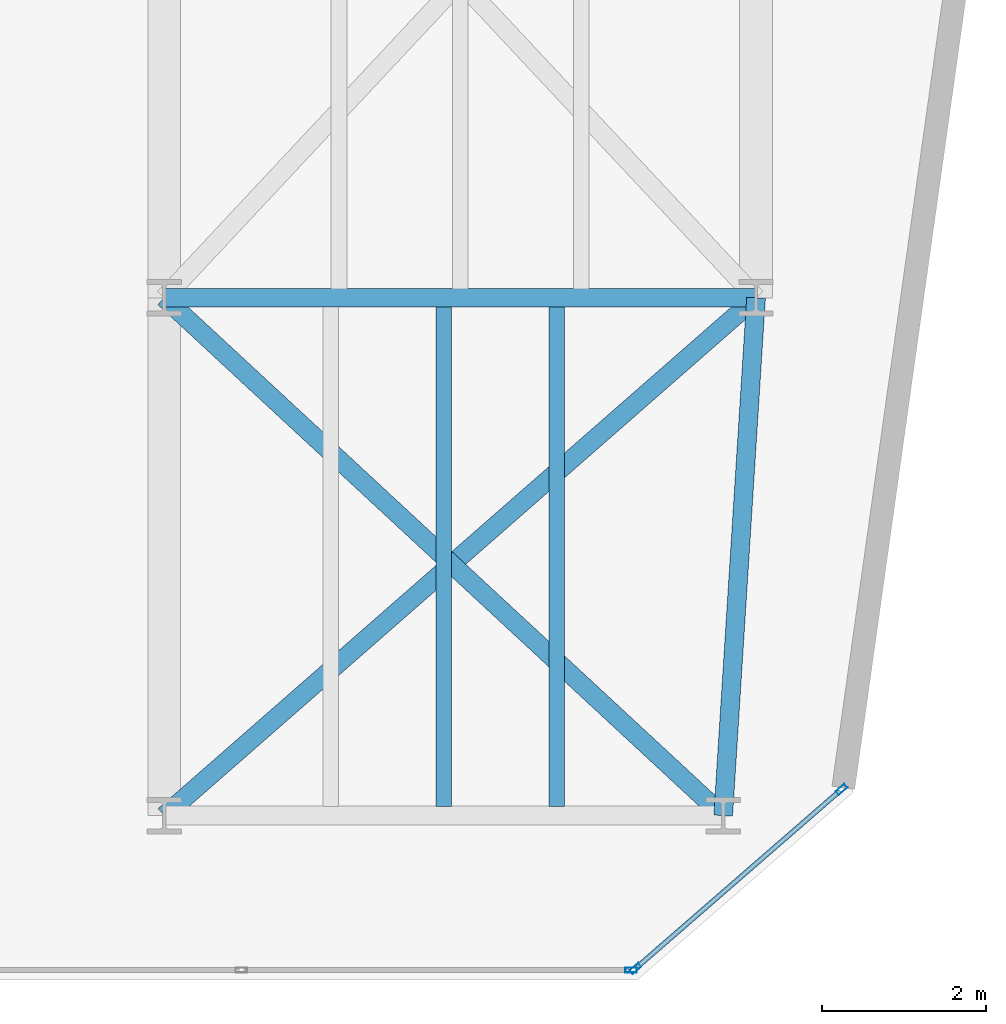
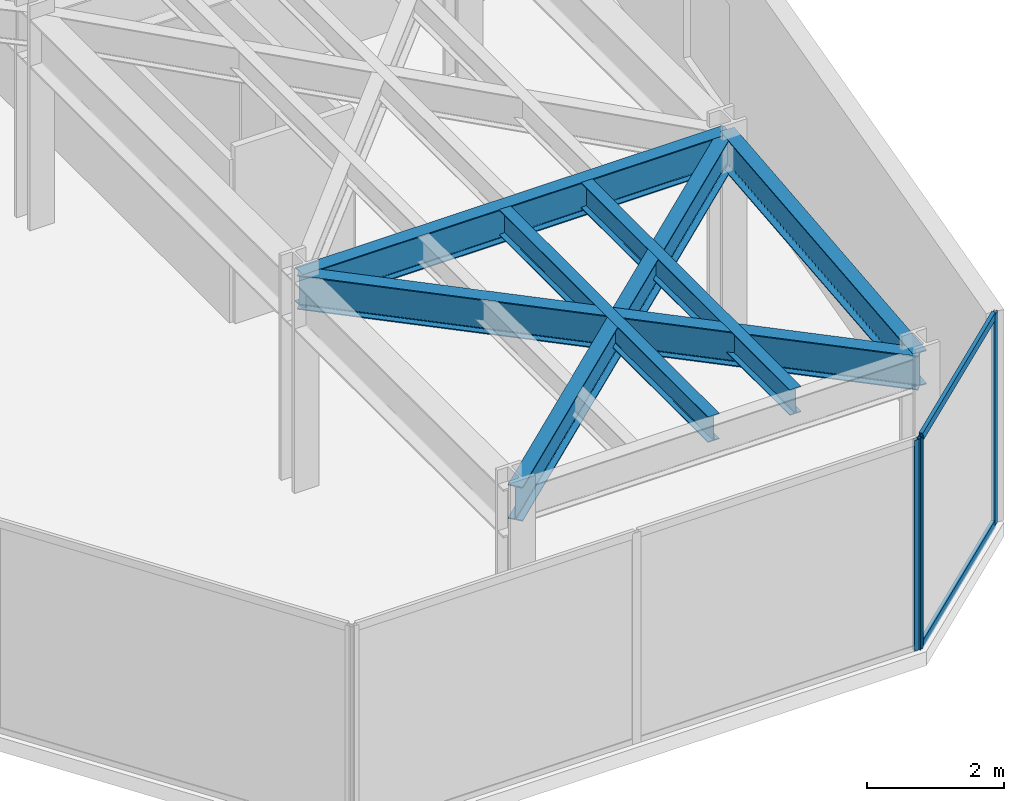
# One storey, part 19 of 26: 6 beams, 5 members, 2 elements without a shape of their own.
"""IFC4 building model written with IfcOpenShell, lengths in metres."""

import ifcopenshell
import ifcopenshell.guid

model = None  # the IFC model being written
_history = None  # IfcOwnerHistory: only IFC2X3 demands one
_inside = {}  # id of a spatial element -> (the spatial element, [elements in it])
_under = {}  # id of a project, library or spatial element -> (it, [spatial elements below it])
_declared = {}  # id of a project -> (the project, [libraries it declares])
_typed = {}  # id of a type object -> (the type object, [elements of that type])
_made_of = {}  # id of a material, layer set ... -> (it, [elements and type objects made of it])


def new_model(schema):
    """Start an empty IFC model of exactly this schema.

    Asked for "IFC4X3", IfcOpenShell would pick the latest addendum, in which some entities
    have other attributes; the version numbers below select the first issue.
    IFC2X3 requires an IfcOwnerHistory on every rooted entity: one is made here for all.
    """
    global model, _history
    if schema == "IFC4X3":
        model = ifcopenshell.file(schema_version=(4, 3, 0, 0))
    else:
        model = ifcopenshell.file(schema=schema)
    _inside.clear()
    _under.clear()
    _declared.clear()
    _typed.clear()
    _made_of.clear()
    _history = None
    if model.schema == "IFC2X3":
        org = make("IfcOrganization", Name="unknown")
        user = make(
            "IfcPersonAndOrganization",
            ThePerson=make("IfcPerson", FamilyName="unknown"),
            TheOrganization=org,
        )
        app = make(
            "IfcApplication",
            ApplicationDeveloper=org,
            Version="unknown",
            ApplicationFullName="unknown",
            ApplicationIdentifier="unknown",
        )
        _history = make(
            "IfcOwnerHistory",
            OwningUser=user,
            OwningApplication=app,
            ChangeAction="ADDED",
            CreationDate=0,
        )
    return model


def make(cls, **values):
    """One entity of the class cls with the attributes given. An attribute that is None is left unset."""
    return model.create_entity(
        cls, **{name: value for name, value in values.items() if value is not None}
    )


def rooted(cls, **values):
    """An entity with a GlobalId (a new one), such as an element, a storey or a relation."""
    return make(cls, GlobalId=ifcopenshell.guid.new(), OwnerHistory=_history, **values)


def si_unit(unit_type, name, prefix=None):
    """IfcSIUnit, for example si_unit("LENGTHUNIT", "METRE", prefix="MILLI")."""
    return make("IfcSIUnit", UnitType=unit_type, Prefix=prefix, Name=name)


def assignment(units):
    """IfcUnitAssignment: the units of a project."""
    return None if units is None else make("IfcUnitAssignment", Units=units)


def point(xyz):
    """IfcCartesianPoint."""
    return None if xyz is None else make("IfcCartesianPoint", Coordinates=xyz)


def direction(xyz):
    """IfcDirection."""
    return None if xyz is None else make("IfcDirection", DirectionRatios=xyz)


def frame(location, z_axis=None, x_axis=None):
    """IfcAxis2Placement3D, a coordinate frame: its origin and axes. An axis left out is left unset."""
    return make(
        "IfcAxis2Placement3D",
        Location=point(location),
        Axis=direction(z_axis),
        RefDirection=direction(x_axis),
    )


def frame_2d(location, x_axis=None):
    """IfcAxis2Placement2D, a coordinate frame in the plane: its origin and x axis."""
    return make(
        "IfcAxis2Placement2D", Location=point(location), RefDirection=direction(x_axis)
    )


def origin():
    """The frame at (0, 0, 0) with its axes left unset."""
    return frame((0.0, 0.0, 0.0))


def origin_2d():
    """The frame at (0, 0) in the plane with its x axis left unset."""
    return frame_2d((0.0, 0.0))


def place(relative_to, where):
    """IfcLocalPlacement: puts the frame where relative to a parent placement (None: the world)."""
    return make(
        "IfcLocalPlacement", PlacementRelTo=relative_to, RelativePlacement=where
    )


def context(
    kind, dimensions, precision=None, world=None, true_north=None, identifier=None
):
    """IfcGeometricRepresentationContext, for example the 3D "Model" context."""
    return make(
        "IfcGeometricRepresentationContext",
        ContextIdentifier=identifier,
        ContextType=kind,
        CoordinateSpaceDimension=dimensions,
        Precision=precision,
        WorldCoordinateSystem=world,
        TrueNorth=true_north,
    )


def subcontext(parent, identifier, kind, view, scale=None):
    """IfcGeometricRepresentationSubContext, for example "Body" below "Model"."""
    return make(
        "IfcGeometricRepresentationSubContext",
        ContextIdentifier=identifier,
        ContextType=kind,
        ParentContext=parent,
        TargetScale=scale,
        TargetView=view,
    )


def project(units=None, contexts=None):
    """IfcProject with its units and contexts."""
    return rooted(
        "IfcProject",
        Name="project",
        RepresentationContexts=contexts,
        UnitsInContext=assignment(units),
    )


def spatial(cls, under=None, at=None, **own):
    """A site, building, storey or space (cls), placed at a placement, below another one or the project."""
    s = rooted(cls, ObjectPlacement=at, **own)
    if under is not None:
        _under.setdefault(under.id(), (under, []))[1].append(s)
    return s


def profile(cls, at=None, kind="AREA", **sizes):
    """A parametric profile (cls). Its sizes go by their IFC names, for example OverallWidth=200.0."""
    return make(cls, ProfileType=kind, Position=at, **sizes)


def hollow_rectangle(**sizes):
    """IfcRectangleHollowProfileDef."""
    return profile("IfcRectangleHollowProfileDef", **sizes)


def i_section(**sizes):
    """IfcIShapeProfileDef."""
    return profile("IfcIShapeProfileDef", **sizes)


def extrude(swept, where, along, depth):
    """IfcExtrudedAreaSolid: the profile swept, set in the frame where, extruded along a direction by depth."""
    return make(
        "IfcExtrudedAreaSolid",
        SweptArea=swept,
        Position=where,
        ExtrudedDirection=direction(along),
        Depth=depth,
    )


def shape(context_of_items, identifier, shape_type, items):
    """IfcShapeRepresentation: the items that make up one representation, for example the "Body"."""
    return make(
        "IfcShapeRepresentation",
        ContextOfItems=context_of_items,
        RepresentationIdentifier=identifier,
        RepresentationType=shape_type,
        Items=items,
    )


def material(Name=None, Category=None):
    """IfcMaterial."""
    return make("IfcMaterial", Name=Name, Category=Category)


def layer(
    of_material, thickness, ventilated=None, Name=None, Category=None, Priority=None
):
    """IfcMaterialLayer: one layer of a wall or slab, of a material (None: an air gap)."""
    return make(
        "IfcMaterialLayer",
        Material=of_material,
        LayerThickness=thickness,
        IsVentilated=ventilated,
        Name=Name,
        Category=Category,
        Priority=Priority,
    )


def layer_set(layers, Name=None):
    """IfcMaterialLayerSet."""
    return make("IfcMaterialLayerSet", MaterialLayers=layers, LayerSetName=Name)


def material_profile(
    of_material, cross_section, Name=None, Category=None, Priority=None
):
    """IfcMaterialProfile: a cross section and its material."""
    return make(
        "IfcMaterialProfile",
        Name=Name,
        Material=of_material,
        Profile=cross_section,
        Priority=Priority,
        Category=Category,
    )


def profile_set(profiles, Name=None, composite=None):
    """IfcMaterialProfileSet."""
    return make(
        "IfcMaterialProfileSet",
        Name=Name,
        MaterialProfiles=profiles,
        CompositeProfile=composite,
    )


def made_of(thing, what):
    """Note that an element or type object is made of a material, layer set ...; save() writes the relation."""
    if what is not None:
        _made_of.setdefault(what.id(), (what, []))[1].append(thing)
    return thing


def type_object(cls, material=None, **own):
    """A type object (cls), such as IfcWallType, which elements share."""
    return made_of(rooted(cls, **own), material)


def element(
    cls,
    number,
    at=None,
    inside=None,
    cuts=None,
    type_object=None,
    material=None,
    context=None,
    identifier="Body",
    shape_type=None,
    held_by="IfcProductDefinitionShape",
    body=None,
    shapes=None,
    **own,
):
    """One element of the class cls, such as IfcWall. Its Tag is "e" and its number.

    at: its placement. inside: the storey or other place that contains it. cuts: it is an
    opening in that element (IfcRelVoidsElement). A single representation is given by context,
    identifier, shape_type and body (its items); several are given by shapes. held_by: the class
    of the entity that holds the representations. save() writes the other relations.
    """
    e = rooted(cls, Tag="e%d" % number, ObjectPlacement=at, **own)
    if body is not None:
        shapes = [shape(context, identifier, shape_type, body)]
    if shapes is not None:
        e.Representation = make(held_by, Representations=shapes)
    if inside is not None:
        _inside.setdefault(inside.id(), (inside, []))[1].append(e)
    if cuts is not None:
        rooted(
            "IfcRelVoidsElement", RelatingBuildingElement=cuts, RelatedOpeningElement=e
        )
    if type_object is not None:
        _typed.setdefault(type_object.id(), (type_object, []))[1].append(e)
    return made_of(e, material)


def aggregate(whole, parts):
    """IfcRelAggregates: a whole, such as a stair, and the parts it consists of."""
    return rooted("IfcRelAggregates", RelatingObject=whole, RelatedObjects=parts)


def save(model, path):
    """Write the relations noted so far, then the file.

    IfcRelAggregates (storeys below a building ...), IfcRelContainedInSpatialStructure (elements
    in a storey), IfcRelDefinesByType, IfcRelAssociatesMaterial and IfcRelDeclares: one each for
    every whole, place, type object, material and project.
    """
    for whole, parts in _under.values():
        aggregate(whole, parts)
    for where, things in _inside.values():
        rooted(
            "IfcRelContainedInSpatialStructure",
            RelatedElements=things,
            RelatingStructure=where,
        )
    for kind, things in _typed.values():
        rooted("IfcRelDefinesByType", RelatedObjects=things, RelatingType=kind)
    for what, things in _made_of.values():
        rooted("IfcRelAssociatesMaterial", RelatedObjects=things, RelatingMaterial=what)
    for by, libraries in _declared.values():
        rooted("IfcRelDeclares", RelatingContext=by, RelatedDefinitions=libraries)
    model.write(path)


model = new_model("IFC4")

# Units and contexts
model_context = context("Model", 3, precision=1e-05, world=origin(), true_north=direction((0.0, 1.0)))
body_context = subcontext(model_context, "Body", "Model", "MODEL_VIEW")
ifc_project = project(units=[si_unit("LENGTHUNIT", "METRE"), si_unit("AREAUNIT", "SQUARE_METRE"), si_unit("VOLUMEUNIT", "CUBIC_METRE"), si_unit("PLANEANGLEUNIT", "RADIAN"), si_unit("MASSUNIT", "GRAM", prefix="KILO")], contexts=[model_context])

# Site, building, storey
site_placement = place(None, origin())
site = spatial("IfcSite", under=ifc_project, at=site_placement, CompositionType="ELEMENT")
building_placement = place(site_placement, origin())
building = spatial("IfcBuilding", under=site, at=building_placement, Name="Kravanh Interchange Tower", CompositionType="ELEMENT")
storey_placement = place(building_placement, frame((0.0, 0.0, 128.0)))
storey = spatial("IfcBuildingStorey", under=building, at=storey_placement, Name="L30", CompositionType="ELEMENT", Elevation=128.0)

# Curtain wall, members
ifc_material_1 = material(Name="Anodised Bronze Aluminium", Category="aluminium")
ifc_layer = layer(ifc_material_1, 0.179931640625)
ifc_layer_set = layer_set([ifc_layer], Name="Unitised Curtain Wall System CW-Z2 Mid Office")
curtain_wall_type = type_object("IfcCurtainWallType", Name="Unitised Curtain Wall System CW-Z2 Mid Office", PredefinedType="NOTDEFINED", material=ifc_layer_set)
curtain_wall_1_placement = place(storey_placement, origin())
curtain_wall_1 = element("IfcCurtainWall", 1, at=curtain_wall_1_placement, inside=storey, type_object=curtain_wall_type, Name="L30 Unitised Curtain Wall CW-L30-02", PredefinedType="NOTDEFINED")
ifc_material_2 = material(Name="Anodised Bronze Aluminium", Category="aluminium")
ifc_material_profile_1 = material_profile(ifc_material_2, hollow_rectangle(XDim=0.06005859375, YDim=0.139892578125, WallThickness=0.00390625, at=origin_2d()), Name="ALU60X140X4")
ifc_profile_set_1 = profile_set([ifc_material_profile_1], Name="Anodised Bronze Aluminium")
member_type_1 = type_object("IfcMemberType", Name="Curtain Wall Mullion ALU60X140X4 Bronze", PredefinedType="MULLION", material=ifc_profile_set_1)
member_1_placement = place(storey_placement, frame((64.239990234375, 8.51904296875, 0.0), z_axis=(0.0, 0.0, 1.0), x_axis=(0.656047665617, -0.754719458103, 0.0)))
member_1 = element("IfcMember", 2, at=member_1_placement, type_object=member_type_1, Name="CW-Z2 mullion 1", PredefinedType="MULLION", context=body_context, shape_type="SweptSolid", body=[
    extrude(hollow_rectangle(XDim=0.06005859375, YDim=0.139892578125, WallThickness=0.00390625, at=origin_2d()), origin(), (0.0, 0.0, 1.0), 3.75),
])
member_2_placement = place(storey_placement, frame((61.73291015625, 6.339599609375, 0.0), z_axis=(0.0, 0.0, 1.0), x_axis=(0.656047665617, -0.754719458103, 0.0)))
member_2 = element("IfcMember", 3, at=member_2_placement, type_object=member_type_1, Name="CW-Z2 mullion 2", PredefinedType="MULLION", context=body_context, shape_type="SweptSolid", body=[
    extrude(hollow_rectangle(XDim=0.06005859375, YDim=0.139892578125, WallThickness=0.00390625, at=origin_2d()), origin(), (0.0, 0.0, 1.0), 3.75),
])

# Curtain wall, member
curtain_wall_2_placement = place(storey_placement, origin())
curtain_wall_2 = element("IfcCurtainWall", 4, at=curtain_wall_2_placement, inside=storey, type_object=curtain_wall_type, Name="L30 Unitised Curtain Wall CW-L30-03", PredefinedType="NOTDEFINED")
member_3_placement = place(storey_placement, frame((61.68017578125, 6.320068359375, 0.0), z_axis=(0.0, 0.0, 1.0), x_axis=(0.0, -1.0, 0.0)))
member_3 = element("IfcMember", 5, at=member_3_placement, type_object=member_type_1, Name="CW-Z2 mullion 1", PredefinedType="MULLION", context=body_context, shape_type="SweptSolid", body=[
    extrude(hollow_rectangle(XDim=0.06005859375, YDim=0.139892578125, WallThickness=0.00390625, at=origin_2d()), origin(), (0.0, 0.0, 1.0), 3.75),
])
aggregate(curtain_wall_2, [member_3])

# Member
ifc_material_3 = material(Name="Anodised Bronze Aluminium", Category="aluminium")
ifc_material_profile_2 = material_profile(ifc_material_3, hollow_rectangle(XDim=0.06005859375, YDim=0.139892578125, WallThickness=0.00390625, at=origin_2d()), Name="ALU60X140X4")
ifc_profile_set_2 = profile_set([ifc_material_profile_2], Name="Anodised Bronze Aluminium")
member_type_2 = type_object("IfcMemberType", Name="Curtain Wall Transom ALU60X140X4 Bronze", PredefinedType="USERDEFINED", material=ifc_profile_set_2)
member_4_placement = place(storey_placement, frame((64.21728515625, 8.499267578125, 0.030029296875), z_axis=(-0.754742467432, -0.656021194669, 0.0), x_axis=(0.656021194669, -0.754742467432, 0.0)))
member_4 = element("IfcMember", 6, at=member_4_placement, type_object=member_type_2, Name="CW-Z2 transom 1.1", ObjectType="TRANSOM", PredefinedType="USERDEFINED", context=body_context, shape_type="SweptSolid", body=[
    extrude(hollow_rectangle(XDim=0.06005859375, YDim=0.139892578125, WallThickness=0.00390625, at=origin_2d()), origin(), (0.0, 0.0, 1.0), 3.261962890625),
])

member_5_placement = place(storey_placement, frame((64.21728515625, 8.499267578125, 3.719970703125), z_axis=(-0.754742467432, -0.656021194669, 0.0), x_axis=(0.656021194669, -0.754742467432, 0.0)))
member_5 = element("IfcMember", 7, at=member_5_placement, type_object=member_type_2, Name="CW-Z2 transom 1.2", ObjectType="TRANSOM", PredefinedType="USERDEFINED", context=body_context, shape_type="SweptSolid", body=[
    extrude(hollow_rectangle(XDim=0.06005859375, YDim=0.139892578125, WallThickness=0.00390625, at=origin_2d()), origin(), (0.0, 0.0, 1.0), 3.261962890625),
])

aggregate(curtain_wall_1, [member_1, member_2, member_4, member_5])

# Beams
ifc_material_4 = material(Name="Structural Steel S355", Category="steel")
ifc_material_profile_3 = material_profile(ifc_material_4, i_section(OverallWidth=0.18994140625, OverallDepth=0.45703125, WebThickness=0.009033203125, FlangeThickness=0.014404296875, FilletRadius=0.01806640625, at=origin_2d()), Name="W18X50")
ifc_profile_set_3 = profile_set([ifc_material_profile_3], Name="Structural Steel S355")
beam_type_1 = type_object("IfcBeamType", Name="Floor Joist W18X50 Structural Steel S355", PredefinedType="JOIST", material=ifc_profile_set_3)
for number, where, z_axis, x_axis, name in (
    (8, (59.39990234375, 8.30908203125, 3.521484375), (0.0, 1.0, 0.0), (-1.0, 0.0, 0.0), "L30 Secondary Floor Joist 5"),
    (9, (60.77490234375, 8.30908203125, 3.521484375), (0.0, 1.0, 0.0), (-1.0, 0.0, 0.0), "L30 Secondary Floor Joist 6"),
):
    element("IfcBeam", number, at=place(storey_placement, frame(where, z_axis=z_axis, x_axis=x_axis)), inside=storey, type_object=beam_type_1, Name=name, PredefinedType="JOIST", context=body_context, shape_type="SweptSolid", body=[
        extrude(i_section(OverallWidth=0.18994140625, OverallDepth=0.45703125, WebThickness=0.009033203125, FlangeThickness=0.014404296875, FilletRadius=0.01806640625, at=origin_2d()), origin(), (0.0, 0.0, 1.0), 6.08203125),
    ])
ifc_material_5 = material(Name="Structural Steel S355", Category="steel")
ifc_material_profile_4 = material_profile(ifc_material_5, i_section(OverallWidth=0.22802734375, OverallDepth=0.60791015625, WebThickness=0.01123046875, FlangeThickness=0.017333984375, FilletRadius=0.02197265625, at=origin_2d()), Name="W24X76")
ifc_profile_set_4 = profile_set([ifc_material_profile_4], Name="Structural Steel S355")
beam_type_2 = type_object("IfcBeamType", Name="Floor Spandrel W24X76 Structural Steel S355", PredefinedType="SPANDREL", material=ifc_profile_set_4)
beam_1_placement = place(storey_placement, frame((56.0, 8.199951171875, 3.446044921875), z_axis=(0.752571952274, 0.658510027752, 0.0), x_axis=(-0.658510027752, 0.752571952274, 0.0)))
element("IfcBeam", 10, at=beam_1_placement, inside=storey, type_object=beam_type_2, Name="L30 Perimeter Spandrel 97", PredefinedType="SPANDREL", context=body_context, shape_type="SweptSolid", body=[
    extrude(i_section(OverallWidth=0.22802734375, OverallDepth=0.60791015625, WebThickness=0.01123046875, FlangeThickness=0.017333984375, FilletRadius=0.02197265625, at=origin_2d()), origin(), (0.0, 0.0, 1.0), 9.567138671875),
])
beam_2_placement = place(storey_placement, frame((62.800048828125, 8.199951171875, 3.446044921875), z_axis=(0.063348576418, 0.99799146182, 0.0), x_axis=(-0.99799146182, 0.063348576418, 0.0)))
element("IfcBeam", 11, at=beam_2_placement, inside=storey, type_object=beam_type_2, Name="L30 Perimeter Spandrel 98", PredefinedType="SPANDREL", context=body_context, shape_type="SweptSolid", body=[
    extrude(i_section(OverallWidth=0.22802734375, OverallDepth=0.60791015625, WebThickness=0.01123046875, FlangeThickness=0.017333984375, FilletRadius=0.02197265625, at=origin_2d()), origin(), (0.0, 0.0, 1.0), 6.312744140625),
])
beam_3_placement = place(storey_placement, frame((62.800048828125, 8.199951171875, 3.446044921875), z_axis=(-0.733561267923, 0.679623326706, 0.0), x_axis=(-0.679623326706, -0.733561267923, 0.0)))
element("IfcBeam", 12, at=beam_3_placement, inside=storey, type_object=beam_type_2, Name="L30 Perimeter Spandrel 99", PredefinedType="SPANDREL", context=body_context, shape_type="SweptSolid", body=[
    extrude(i_section(OverallWidth=0.22802734375, OverallDepth=0.60791015625, WebThickness=0.01123046875, FlangeThickness=0.017333984375, FilletRadius=0.02197265625, at=origin_2d()), origin(), (0.0, 0.0, 1.0), 9.27001953125),
])
beam_4_placement = place(storey_placement, frame((56.0, 14.5, 3.446044921875), z_axis=(1.0, 0.0, 0.0), x_axis=(0.0, 1.0, 0.0)))
element("IfcBeam", 13, at=beam_4_placement, inside=storey, type_object=beam_type_2, Name="L30 Perimeter Spandrel 103", PredefinedType="SPANDREL", context=body_context, shape_type="SweptSolid", body=[
    extrude(i_section(OverallWidth=0.22802734375, OverallDepth=0.60791015625, WebThickness=0.01123046875, FlangeThickness=0.017333984375, FilletRadius=0.02197265625, at=origin_2d()), origin(), (0.0, 0.0, 1.0), 7.199951171875),
])

save(model, "model.ifc")
